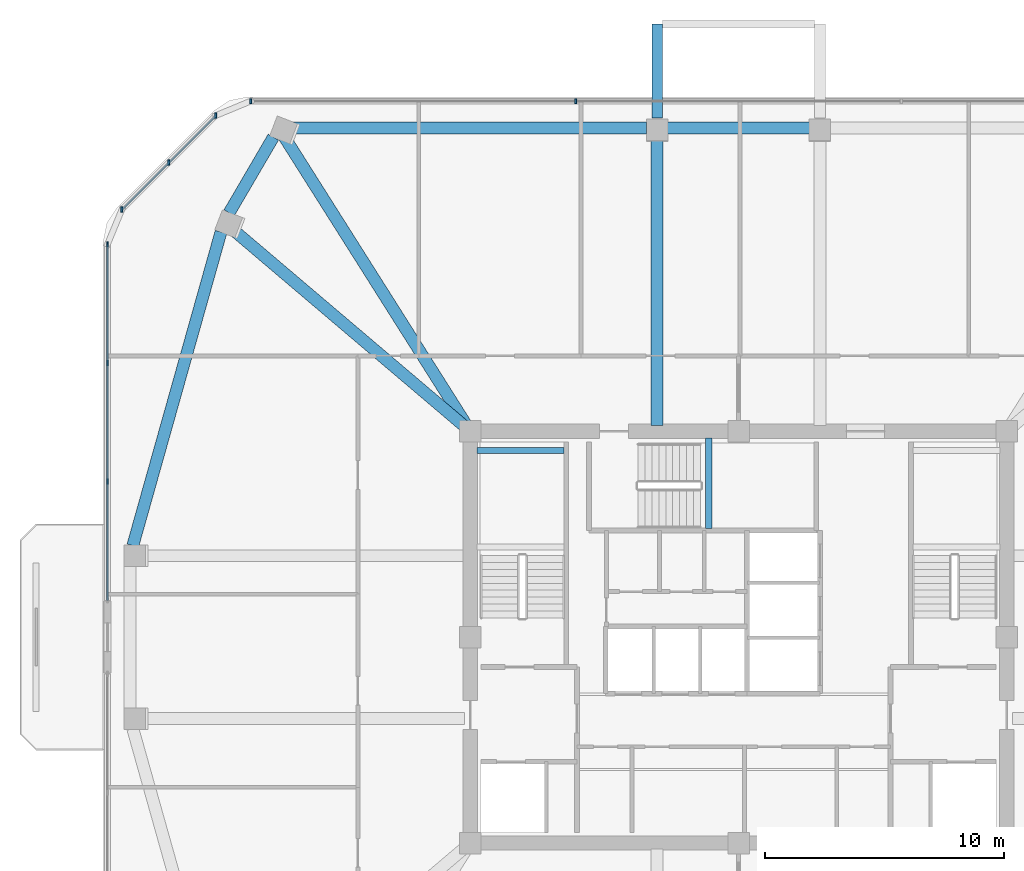
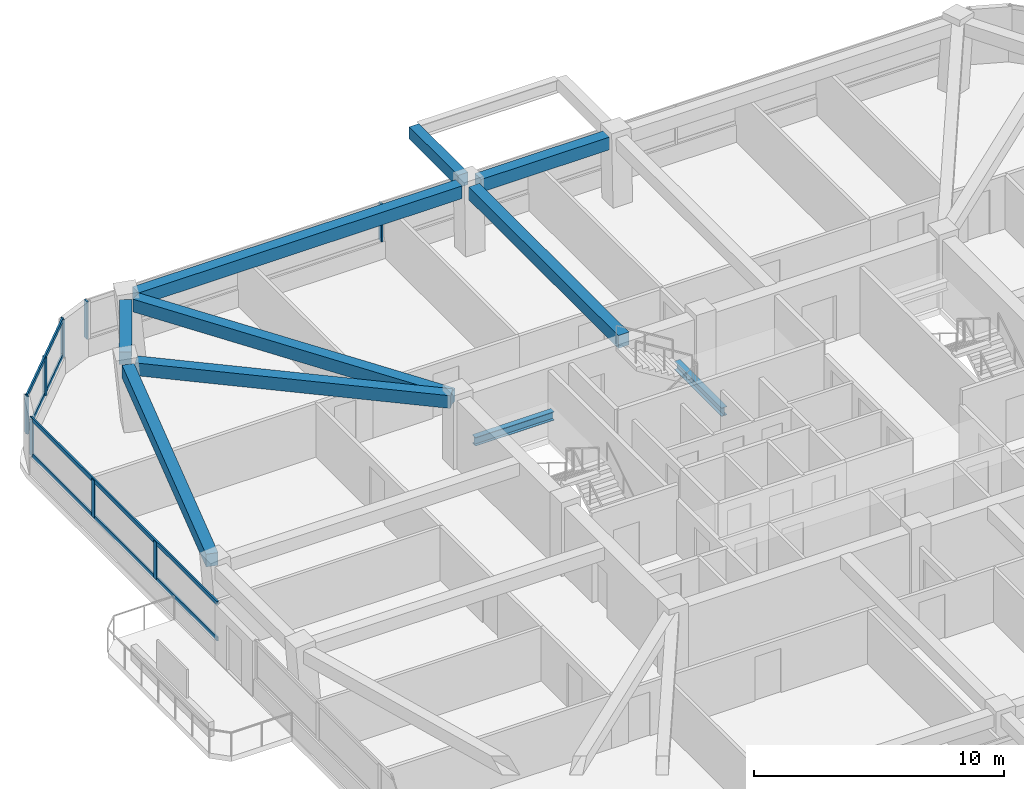
# One storey, part 4 of 13: 12 members, 10 beams, 3 elements without a shape of their own.
"""IFC4 building model written with IfcOpenShell, lengths in metres."""

from ifc_helpers import new_model, si_unit, derived_unit, direction, frame, origin, origin_2d, place, context, subcontext, project, spatial, rectangle, i_section, extrude, material, material_profile, profile_set, type_object, element, aggregate, save


model = new_model("IFC4")

# Units and contexts
model_context = context("Model", 3, precision=1e-05, world=origin(), true_north=direction((0.0, 1.0)))
body_context = subcontext(model_context, "Body", "Model", "MODEL_VIEW")
ifc_project = project(units=[si_unit("LENGTHUNIT", "METRE"), si_unit("AREAUNIT", "SQUARE_METRE"), si_unit("VOLUMEUNIT", "CUBIC_METRE"), si_unit("PLANEANGLEUNIT", "RADIAN"), si_unit("MASSUNIT", "GRAM", prefix="KILO"), derived_unit("THERMALTRANSMITTANCEUNIT", [(si_unit("POWERUNIT", "WATT"), 1), (si_unit("LENGTHUNIT", "METRE"), -2), (si_unit("THERMODYNAMICTEMPERATUREUNIT", "KELVIN"), -1)])], contexts=[model_context])

# Site, building, storey
site_placement = place(None, origin())
site = spatial("IfcSite", under=ifc_project, at=site_placement, CompositionType="ELEMENT")
building_placement = place(site_placement, origin())
building = spatial("IfcBuilding", under=site, at=building_placement, Name="Koralith Skygarden Medical Center", CompositionType="ELEMENT")
storey_placement = place(building_placement, frame((0.0, 0.0, 214.3798828125)))
storey = spatial("IfcBuildingStorey", under=building, at=storey_placement, Name="L55", CompositionType="ELEMENT", Elevation=214.3798828125)

# Curtain wall, members
ifc_material_1 = material(Name="Clear Laminated Glass", Category="glass")
curtain_wall_type = type_object("IfcCurtainWallType", Name="CW-5 Zone 4 Flare Biophilic Curtain Wall", PredefinedType="NOTDEFINED", material=ifc_material_1)
curtain_wall_1_placement = place(storey_placement, origin())
curtain_wall_1 = element("IfcCurtainWall", 1, at=curtain_wall_1_placement, inside=storey, type_object=curtain_wall_type, Name="Curtain Wall CW-L55-N", PredefinedType="NOTDEFINED")
ifc_material_2 = material(Name="Aluminium 6063-T6", Category="aluminium")
ifc_material_profile_1 = material_profile(ifc_material_2, rectangle(XDim=0.080078125, YDim=0.219970703125, at=origin_2d()), Name="MUL80X220")
ifc_profile_set_1 = profile_set([ifc_material_profile_1], Name="Aluminium 6063-T6")
member_type_1 = type_object("IfcMemberType", Name="CW-5 Extruded Mullion 80x220", PredefinedType="MULLION", material=ifc_profile_set_1)
member_1_placement = place(storey_placement, frame((30.2060546875, 48.2880859375, 0.85009765625), z_axis=(0.0, 0.0, 1.0), x_axis=(1.0, 0.0, 0.0)))
member_1 = element("IfcMember", 2, at=member_1_placement, type_object=member_type_1, Name="CW-L55-N Mullion 3", PredefinedType="MULLION", context=body_context, shape_type="SweptSolid", body=[
    extrude(rectangle(XDim=0.080078125, YDim=0.219970703125, at=origin_2d()), origin(), (0.0, 0.0, 1.0), 1.840087890625),
])
member_2_placement = place(storey_placement, frame((16.617919921875, 48.2880859375, 0.85009765625), z_axis=(0.0, 0.0, 1.0), x_axis=(1.0, 0.0, 0.0)))
member_2 = element("IfcMember", 3, at=member_2_placement, type_object=member_type_1, Name="CW-L55-N Mullion 4", PredefinedType="MULLION", context=body_context, shape_type="SweptSolid", body=[
    extrude(rectangle(XDim=0.080078125, YDim=0.219970703125, at=origin_2d()), origin(), (0.0, 0.0, 1.0), 1.840087890625),
])
aggregate(curtain_wall_1, [member_1, member_2])

curtain_wall_2_placement = place(storey_placement, origin())
curtain_wall_2 = element("IfcCurtainWall", 4, at=curtain_wall_2_placement, inside=storey, type_object=curtain_wall_type, Name="Curtain Wall CW-L55-NW", PredefinedType="NOTDEFINED")
member_3_placement = place(storey_placement, frame((15.1669921875, 47.68701171875, 0.85009765625), z_axis=(0.0, 0.0, 1.0), x_axis=(1.0, 0.0, 0.0)))
member_3 = element("IfcMember", 5, at=member_3_placement, type_object=member_type_1, Name="CW-L55-NW Mullion 1", PredefinedType="MULLION", context=body_context, shape_type="SweptSolid", body=[
    extrude(rectangle(XDim=0.080078125, YDim=0.219970703125, at=origin_2d()), origin(), (0.0, 0.0, 1.0), 1.840087890625),
])
member_4_placement = place(storey_placement, frame((13.2060546875, 45.72509765625, 0.85009765625), z_axis=(0.0, 0.0, 1.0), x_axis=(1.0, 0.0, 0.0)))
member_4 = element("IfcMember", 6, at=member_4_placement, type_object=member_type_1, Name="CW-L55-NW Mullion 2", PredefinedType="MULLION", context=body_context, shape_type="SweptSolid", body=[
    extrude(rectangle(XDim=0.080078125, YDim=0.219970703125, at=origin_2d()), origin(), (0.0, 0.0, 1.0), 1.840087890625),
])
member_5_placement = place(storey_placement, frame((11.243896484375, 43.763916015625, 0.85009765625), z_axis=(0.0, 0.0, 1.0), x_axis=(1.0, 0.0, 0.0)))
member_5 = element("IfcMember", 7, at=member_5_placement, type_object=member_type_1, Name="CW-L55-NW Mullion 3", PredefinedType="MULLION", context=body_context, shape_type="SweptSolid", body=[
    extrude(rectangle(XDim=0.080078125, YDim=0.219970703125, at=origin_2d()), origin(), (0.0, 0.0, 1.0), 1.840087890625),
])

curtain_wall_3_placement = place(storey_placement, origin())
curtain_wall_3 = element("IfcCurtainWall", 8, at=curtain_wall_3_placement, inside=storey, type_object=curtain_wall_type, Name="Curtain Wall CW-L55-W-L", PredefinedType="NOTDEFINED")
member_6_placement = place(storey_placement, frame((10.64306640625, 42.31298828125, 0.85009765625), z_axis=(0.0, 0.0, 1.0), x_axis=(1.0, 0.0, 0.0)))
member_6 = element("IfcMember", 9, at=member_6_placement, type_object=member_type_1, Name="CW-L55-W-L Mullion 1", PredefinedType="MULLION", context=body_context, shape_type="SweptSolid", body=[
    extrude(rectangle(XDim=0.080078125, YDim=0.219970703125, at=origin_2d()), origin(), (0.0, 0.0, 1.0), 1.840087890625),
])
member_7_placement = place(storey_placement, frame((10.64306640625, 37.35498046875, 0.85009765625), z_axis=(0.0, 0.0, 1.0), x_axis=(1.0, 0.0, 0.0)))
member_7 = element("IfcMember", 10, at=member_7_placement, type_object=member_type_1, Name="CW-L55-W-L Mullion 2", PredefinedType="MULLION", context=body_context, shape_type="SweptSolid", body=[
    extrude(rectangle(XDim=0.080078125, YDim=0.219970703125, at=origin_2d()), origin(), (0.0, 0.0, 1.0), 1.840087890625),
])
member_8_placement = place(storey_placement, frame((10.64306640625, 32.39794921875, 0.85009765625), z_axis=(0.0, 0.0, 1.0), x_axis=(1.0, 0.0, 0.0)))
member_8 = element("IfcMember", 11, at=member_8_placement, type_object=member_type_1, Name="CW-L55-W-L Mullion 3", PredefinedType="MULLION", context=body_context, shape_type="SweptSolid", body=[
    extrude(rectangle(XDim=0.080078125, YDim=0.219970703125, at=origin_2d()), origin(), (0.0, 0.0, 1.0), 1.840087890625),
])

# Member
ifc_material_profile_2 = material_profile(ifc_material_2, rectangle(XDim=0.074951171875, YDim=0.197998046875, at=origin_2d()), Name="TRN75X198")
ifc_profile_set_2 = profile_set([ifc_material_profile_2], Name="Aluminium 6063-T6")
member_type_2 = type_object("IfcMemberType", Name="CW-5 Thermal Transom 75x198", PredefinedType="USERDEFINED", material=ifc_profile_set_2)
member_9_placement = place(storey_placement, frame((15.1669921875, 47.68701171875, 0.900146484375), z_axis=(-0.707106781187, -0.707106781187, 0.0), x_axis=(0.707106781187, -0.707106781187, 0.0)))
member_9 = element("IfcMember", 12, at=member_9_placement, type_object=member_type_2, Name="CW-L55-NW Transom 1", ObjectType="TRANSOM", PredefinedType="USERDEFINED", context=body_context, shape_type="SweptSolid", body=[
    extrude(rectangle(XDim=0.074951171875, YDim=0.197998046875, at=origin_2d()), origin(), (0.0, 0.0, 1.0), 5.548095703125),
])

member_10_placement = place(storey_placement, frame((15.1669921875, 47.68701171875, 2.64013671875), z_axis=(-0.707106781187, -0.707106781187, 0.0), x_axis=(0.707106781187, -0.707106781187, 0.0)))
member_10 = element("IfcMember", 13, at=member_10_placement, type_object=member_type_2, Name="CW-L55-NW Transom 2", ObjectType="TRANSOM", PredefinedType="USERDEFINED", context=body_context, shape_type="SweptSolid", body=[
    extrude(rectangle(XDim=0.074951171875, YDim=0.197998046875, at=origin_2d()), origin(), (0.0, 0.0, 1.0), 5.548095703125),
])

aggregate(curtain_wall_2, [member_3, member_4, member_5, member_9, member_10])

member_11_placement = place(storey_placement, frame((10.64306640625, 42.31298828125, 0.900146484375), z_axis=(0.0, -1.0, 0.0), x_axis=(1.0, 0.0, 0.0)))
member_11 = element("IfcMember", 14, at=member_11_placement, type_object=member_type_2, Name="CW-L55-W-L Transom 1", ObjectType="TRANSOM", PredefinedType="USERDEFINED", context=body_context, shape_type="SweptSolid", body=[
    extrude(rectangle(XDim=0.074951171875, YDim=0.197998046875, at=origin_2d()), origin(), (0.0, 0.0, 1.0), 14.873046875),
])

member_12_placement = place(storey_placement, frame((10.64306640625, 42.31298828125, 2.64013671875), z_axis=(0.0, -1.0, 0.0), x_axis=(1.0, 0.0, 0.0)))
member_12 = element("IfcMember", 15, at=member_12_placement, type_object=member_type_2, Name="CW-L55-W-L Transom 2", ObjectType="TRANSOM", PredefinedType="USERDEFINED", context=body_context, shape_type="SweptSolid", body=[
    extrude(rectangle(XDim=0.074951171875, YDim=0.197998046875, at=origin_2d()), origin(), (0.0, 0.0, 1.0), 14.873046875),
])

aggregate(curtain_wall_3, [member_6, member_7, member_8, member_11, member_12])

# Beams
ifc_material_3 = material(Name="Steel ASTM A992 Grade 50", Category="steel")
ifc_material_profile_3 = material_profile(ifc_material_3, i_section(OverallWidth=0.260009765625, OverallDepth=0.4150390625, WebThickness=0.010009765625, FlangeThickness=0.016845703125, at=origin_2d()), Name="W16X67")
ifc_profile_set_3 = profile_set([ifc_material_profile_3], Name="Steel ASTM A992 Grade 50")
beam_type_1 = type_object("IfcBeamType", Name="Clinical Floor Joist W16X67", PredefinedType="JOIST", material=ifc_profile_set_3)
beam_1_placement = place(storey_placement, frame((26.080078125, 33.699951171875, 1.39306640625), z_axis=(1.0, 0.0, 0.0), x_axis=(0.0, 1.0, 0.0)))
element("IfcBeam", 16, at=beam_1_placement, inside=storey, type_object=beam_type_1, Name="L55 Stair ST1 Half-Landing Support Beam 1B", PredefinedType="JOIST", context=body_context, shape_type="SweptSolid", body=[
    extrude(i_section(OverallWidth=0.260009765625, OverallDepth=0.4150390625, WebThickness=0.010009765625, FlangeThickness=0.016845703125, at=origin_2d()), origin(), (0.0, 0.0, 1.0), 3.639892578125),
])
beam_2_placement = place(storey_placement, frame((35.760009765625, 30.43994140625, 1.39306640625), z_axis=(0.0, 1.0, 0.0), x_axis=(-1.0, 0.0, 0.0)))
element("IfcBeam", 17, at=beam_2_placement, inside=storey, type_object=beam_type_1, Name="L55 Stair ST3 Half-Landing Support Beam 1A", PredefinedType="JOIST", context=body_context, shape_type="SweptSolid", body=[
    extrude(i_section(OverallWidth=0.260009765625, OverallDepth=0.4150390625, WebThickness=0.010009765625, FlangeThickness=0.016845703125, at=origin_2d()), origin(), (0.0, 0.0, 1.0), 3.780029296875),
])
ifc_material_4 = material(Name="Concrete C45/55", Category="concrete")
ifc_material_profile_4 = material_profile(ifc_material_4, rectangle(XDim=0.449951171875, YDim=0.60009765625, at=origin_2d()), Name="RCB450X600")
ifc_profile_set_4 = profile_set([ifc_material_profile_4], Name="Concrete C45/55")
beam_type_2 = type_object("IfcBeamType", Name="Planted Balcony Cantilever Beam RCB450X600", PredefinedType="BEAM", material=ifc_profile_set_4)
beam_3_placement = place(storey_placement, frame((33.60009765625, 47.593994140625, 3.0400390625), z_axis=(0.0, 1.0, 0.0), x_axis=(-1.0, 0.0, 0.0)))
element("IfcBeam", 18, at=beam_3_placement, inside=storey, type_object=beam_type_2, Name="L56 N Balcony Cantilever Beam A", PredefinedType="BEAM", context=body_context, shape_type="SweptSolid", body=[
    extrude(rectangle(XDim=0.449951171875, YDim=0.60009765625, at=origin_2d()), origin(), (0.0, 0.0, 1.0), 3.919921875),
])
ifc_material_profile_5 = material_profile(ifc_material_4, rectangle(XDim=0.5, YDim=0.6201171875, at=origin_2d()), Name="RCB500X620")
ifc_profile_set_5 = profile_set([ifc_material_profile_5], Name="Concrete C45/55")
beam_type_3 = type_object("IfcBeamType", Name="Upper Radial Collector Beam RCB500X620", PredefinedType="BEAM", material=ifc_profile_set_5)
beam_4_placement = place(storey_placement, frame((33.60009765625, 34.75, 3.010009765625), z_axis=(0.0, 1.0, 0.0), x_axis=(-1.0, 0.0, 0.0)))
element("IfcBeam", 19, at=beam_4_placement, inside=storey, type_object=beam_type_3, Name="L55 Radial Collector Beam RB-13", PredefinedType="BEAM", context=body_context, shape_type="SweptSolid", body=[
    extrude(rectangle(XDim=0.5, YDim=0.6201171875, at=origin_2d()), origin(), (0.0, 0.0, 1.0), 11.97412109375),
])
beam_5_placement = place(storey_placement, frame((25.666015625, 34.7109375, 3.010009765625), z_axis=(-0.53443183761, 0.845211577624, 0.0), x_axis=(-0.845211577624, -0.53443183761, 0.0)))
element("IfcBeam", 20, at=beam_5_placement, inside=storey, type_object=beam_type_3, Name="L55 Radial Collector Beam RB-14", PredefinedType="BEAM", context=body_context, shape_type="SweptSolid", body=[
    extrude(rectangle(XDim=0.5, YDim=0.6201171875, at=origin_2d()), origin(), (0.0, 0.0, 1.0), 14.29345703125),
])
beam_6_placement = place(storey_placement, frame((25.60888671875, 34.662109375, 3.010009765625), z_axis=(-0.762329179737, 0.647189478995, 0.0), x_axis=(-0.647189478995, -0.762329179737, 0.0)))
element("IfcBeam", 21, at=beam_6_placement, inside=storey, type_object=beam_type_3, Name="L55 Radial Collector Beam RB-15", PredefinedType="BEAM", context=body_context, shape_type="SweptSolid", body=[
    extrude(rectangle(XDim=0.5, YDim=0.6201171875, at=origin_2d()), origin(), (0.0, 0.0, 1.0), 12.81982421875),
])
ifc_material_profile_6 = material_profile(ifc_material_4, rectangle(XDim=0.5, YDim=0.6201171875, at=origin_2d()), Name="RCB500X620")
ifc_profile_set_6 = profile_set([ifc_material_profile_6], Name="Concrete C45/55")
beam_type_4 = type_object("IfcBeamType", Name="Zone 4-5 Spandrel Beam RCB500X620", PredefinedType="SPANDREL", material=ifc_profile_set_6)
beam_7_placement = place(storey_placement, frame((39.9599609375, 47.1640625, 3.010009765625), z_axis=(-1.0, 0.0, 0.0), x_axis=(0.0, -1.0, 0.0)))
element("IfcBeam", 22, at=beam_7_placement, inside=storey, type_object=beam_type_4, Name="L55 Perimeter Spandrel Beam SP-12", PredefinedType="SPANDREL", context=body_context, shape_type="SweptSolid", body=[
    extrude(rectangle(XDim=0.5, YDim=0.6201171875, at=origin_2d()), origin(), (0.0, 0.0, 1.0), 5.919921875),
])
beam_8_placement = place(storey_placement, frame((33.159912109375, 47.1640625, 3.010009765625), z_axis=(-1.0, 0.0, 0.0), x_axis=(0.0, -1.0, 0.0)))
element("IfcBeam", 23, at=beam_8_placement, inside=storey, type_object=beam_type_4, Name="L55 Perimeter Spandrel Beam SP-13", PredefinedType="SPANDREL", context=body_context, shape_type="SweptSolid", body=[
    extrude(rectangle(XDim=0.5, YDim=0.6201171875, at=origin_2d()), origin(), (0.0, 0.0, 1.0), 14.927978515625),
])
beam_9_placement = place(storey_placement, frame((17.570068359375, 46.783935546875, 3.010009765625), z_axis=(-0.504662936205, -0.863316466205, 0.0), x_axis=(0.863316466205, -0.504662936205, 0.0)))
element("IfcBeam", 24, at=beam_9_placement, inside=storey, type_object=beam_type_4, Name="L55 Perimeter Spandrel Beam SP-14", PredefinedType="SPANDREL", context=body_context, shape_type="SweptSolid", body=[
    extrude(rectangle(XDim=0.5, YDim=0.6201171875, at=origin_2d()), origin(), (0.0, 0.0, 1.0), 3.66015625),
])
beam_10_placement = place(storey_placement, frame((15.382080078125, 42.820068359375, 3.010009765625), z_axis=(-0.270670216723, -0.962672132026, 0.0), x_axis=(0.962672132026, -0.270670216723, 0.0)))
element("IfcBeam", 25, at=beam_10_placement, inside=storey, type_object=beam_type_4, Name="L55 Perimeter Spandrel Beam SP-15", PredefinedType="SPANDREL", context=body_context, shape_type="SweptSolid", body=[
    extrude(rectangle(XDim=0.5, YDim=0.6201171875, at=origin_2d()), origin(), (0.0, 0.0, 1.0), 13.603759765625),
])

save(model, "model.ifc")
